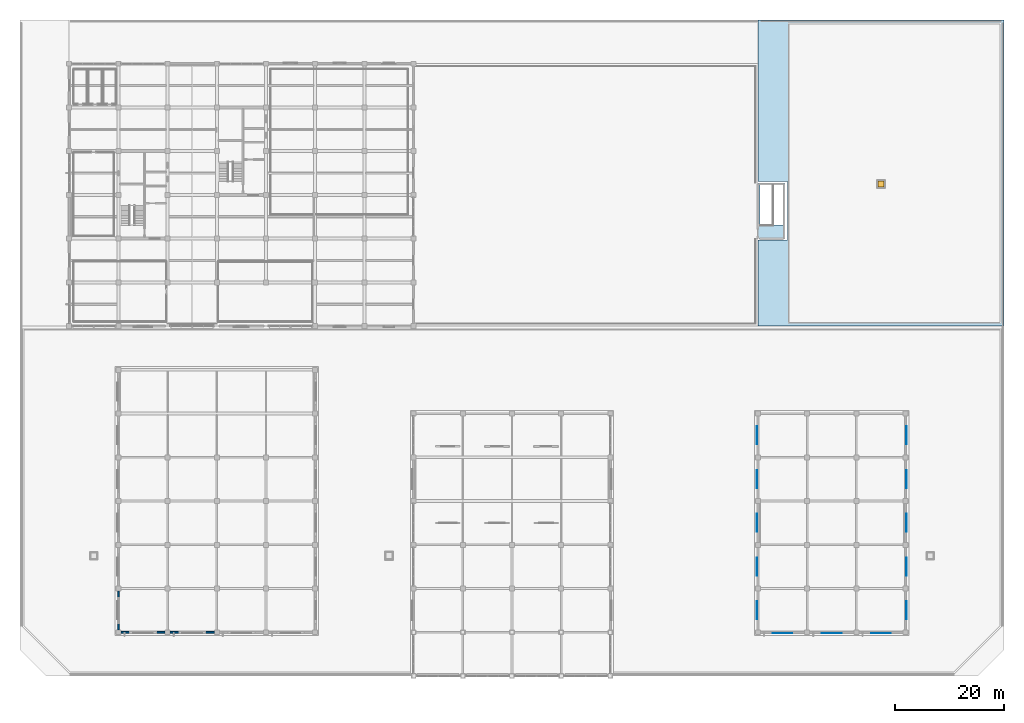
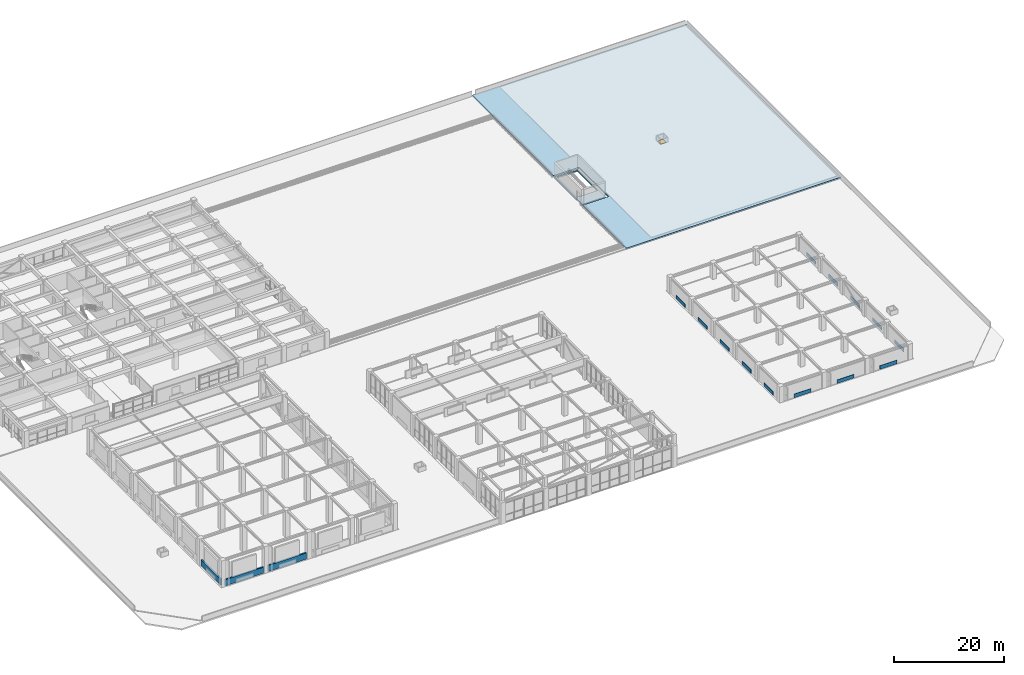
# One storey, part 18 of 34: 13 plates, 3 walls, 2 slabs, 1 door, 1 opening.
"""IFC4 building model written with IfcOpenShell, lengths in metres."""

from ifc_helpers import new_model, si_unit, direction, frame, frame_2d, origin, origin_2d, place, context, subcontext, project, spatial, polyline, rectangle, outline, extrude, material, layer, layer_set, type_object, element, fill, save


model = new_model("IFC4")

# Units and contexts
model_context = context("Model", 3, precision=1e-05, world=origin(), true_north=direction((0.0, 1.0)))
body_context = subcontext(model_context, "Body", "Model", "MODEL_VIEW")
ifc_project = project(units=[si_unit("LENGTHUNIT", "METRE"), si_unit("AREAUNIT", "SQUARE_METRE"), si_unit("VOLUMEUNIT", "CUBIC_METRE"), si_unit("PLANEANGLEUNIT", "RADIAN"), si_unit("MASSUNIT", "GRAM", prefix="KILO")], contexts=[model_context])

# Site, building, storey
site_placement = place(None, origin())
site = spatial("IfcSite", under=ifc_project, at=site_placement, CompositionType="ELEMENT")
building_placement = place(site_placement, origin())
building = spatial("IfcBuilding", under=site, at=building_placement, Name="Zaverband Oceanarium and Marine Research Institute", CompositionType="ELEMENT")
storey_placement = place(building_placement, frame((0.0, 0.0, 18.0)))
storey = spatial("IfcBuildingStorey", under=building, at=storey_placement, Name="L04", CompositionType="ELEMENT", Elevation=18.0)

# Plates
ifc_material_1 = material(Name="Concrete C40/50 precast ochre", Category="concrete")
ifc_layer_1 = layer(ifc_material_1, 0.0849609375, Name="Concrete C40/50 precast ochre")
ifc_layer_set_1 = layer_set([ifc_layer_1], Name="Concrete C40/50 precast ochre")
plate_type_1 = type_object("IfcPlateType", Name="FRP-3300x800", PredefinedType="USERDEFINED", material=ifc_layer_set_1)
for number, where, z_axis, x_axis, name in (
    (1, (134.8173828125, 10.35009765625, 0.0), (0.0, 0.0, 1.0), (0.0, 1.0, 0.0), "Geometric precast facade cladding panel FRP-3300x800"),
    (2, (134.8173828125, 18.35009765625, 0.0), (0.0, 0.0, 1.0), (0.0, 1.0, 0.0), "Geometric precast facade cladding panel FRP-3300x800"),
    (3, (134.8173828125, 26.35009765625, 0.0), (0.0, 0.0, 1.0), (0.0, 1.0, 0.0), "Geometric precast facade cladding panel FRP-3300x800"),
    (4, (134.8173828125, 34.35009765625, 0.0), (0.0, 0.0, 1.0), (0.0, 1.0, 0.0), "Geometric precast facade cladding panel FRP-3300x800"),
    (5, (134.8173828125, 42.35009765625, 0.0), (0.0, 0.0, 1.0), (0.0, 1.0, 0.0), "Geometric precast facade cladding panel FRP-3300x800"),
    (6, (162.1826171875, 10.35009765625, 0.0), (0.0, 0.0, 1.0), (0.0, 1.0, 0.0), "Geometric precast facade cladding panel FRP-3300x800"),
    (7, (162.1826171875, 18.35009765625, 0.0), (0.0, 0.0, 1.0), (0.0, 1.0, 0.0), "Geometric precast facade cladding panel FRP-3300x800"),
    (8, (162.1826171875, 26.35009765625, 0.0), (0.0, 0.0, 1.0), (0.0, 1.0, 0.0), "Geometric precast facade cladding panel FRP-3300x800"),
    (9, (162.1826171875, 34.35009765625, 0.0), (0.0, 0.0, 1.0), (0.0, 1.0, 0.0), "Geometric precast facade cladding panel FRP-3300x800"),
    (10, (162.1826171875, 42.35009765625, 0.0), (0.0, 0.0, 1.0), (0.0, 1.0, 0.0), "Geometric precast facade cladding panel FRP-3300x800"),
):
    element("IfcPlate", number, at=place(storey_placement, frame(where, z_axis=z_axis, x_axis=x_axis)), inside=storey, type_object=plate_type_1, Name=name, ObjectType="FLANGE_PLATE", PredefinedType="USERDEFINED", context=body_context, shape_type="SweptSolid", body=[
        extrude(rectangle(XDim=3.2998046875, YDim=0.0849609375, at=frame_2d((1.64990234375, 0.0))), origin(), (0.0, 0.0, 1.0), 0.800048828125),
    ])
ifc_layer_2 = layer(ifc_material_1, 0.0849609375, Name="Concrete C40/50 precast ochre")
ifc_layer_set_2 = layer_set([ifc_layer_2], Name="Concrete C40/50 precast ochre")
plate_type_2 = type_object("IfcPlateType", Name="FRP-3600x800", PredefinedType="USERDEFINED", material=ifc_layer_set_2)
for number, where, z_axis, x_axis, name in (
    (11, (137.699951171875, 7.8173828125, 0.0), (0.0, 0.0, 1.0), (1.0, 0.0, 0.0), "Geometric precast facade cladding panel FRP-3600x800"),
    (12, (146.699951171875, 7.8173828125, 0.0), (0.0, 0.0, 1.0), (1.0, 0.0, 0.0), "Geometric precast facade cladding panel FRP-3600x800"),
    (13, (155.699951171875, 7.8173828125, 0.0), (0.0, 0.0, 1.0), (1.0, 0.0, 0.0), "Geometric precast facade cladding panel FRP-3600x800"),
):
    element("IfcPlate", number, at=place(storey_placement, frame(where, z_axis=z_axis, x_axis=x_axis)), inside=storey, type_object=plate_type_2, Name=name, ObjectType="FLANGE_PLATE", PredefinedType="USERDEFINED", context=body_context, shape_type="SweptSolid", body=[
        extrude(rectangle(XDim=3.60009765625, YDim=0.0849609375, at=frame_2d((1.800048828125, 0.0))), origin(), (0.0, 0.0, 1.0), 0.800048828125),
    ])

# Slab
ifc_material_2 = material(Name="Concrete C40/50", Category="concrete")
ifc_layer_3 = layer(ifc_material_2, 0.300048828125, Name="Concrete C40/50")
ifc_layer_set_3 = layer_set([ifc_layer_3], Name="Concrete C40/50")
slab_type_1 = type_object("IfcSlabType", Name="SLB-BSM-300", PredefinedType="FLOOR", material=ifc_layer_set_3)
slab_1_placement = place(storey_placement, frame((0.0, 0.0, -0.300048828125)))
element("IfcSlab", 14, at=slab_1_placement, inside=storey, type_object=slab_type_1, Name="Suspended floor slab SLB-BSM-300", PredefinedType="FLOOR", context=body_context, shape_type="SweptSolid", body=[
    extrude(outline(polyline([(135.0, 90.10009765625), (139.89990234375, 90.10009765625), (139.89990234375, 80.0), (135.0, 80.0), (135.0, 90.10009765625)]), holes=[polyline([(139.64990234375, 82.5), (139.64990234375, 89.85009765625), (135.35009765625, 89.85009765625), (135.35009765625, 82.5), (139.64990234375, 82.5)])]), origin(), (0.0, 0.0, 1.0), 0.300048828125),
])

# Slab, opening, door
ifc_layer_4 = layer(ifc_material_2, 0.300048828125, Name="Concrete C40/50")
ifc_layer_set_4 = layer_set([ifc_layer_4], Name="Concrete C40/50")
slab_type_2 = type_object("IfcSlabType", Name="SLB-ROOF-300", PredefinedType="ROOF", material=ifc_layer_set_4)
slab_2_placement = place(storey_placement, frame((0.0, 0.0, -0.300048828125)))
slab_2 = element("IfcSlab", 15, at=slab_2_placement, inside=storey, type_object=slab_type_2, Name="Roof deck slab SLB-ROOF-300", PredefinedType="ROOF", context=body_context, shape_type="SweptSolid", body=[
    extrude(outline(polyline([(135.014892578125, 120.0), (180.0, 120.0), (180.0, 64.014892578125), (135.014892578125, 64.014892578125), (135.014892578125, 79.800048828125), (140.39990234375, 79.800048828125), (140.39990234375, 90.5), (135.014892578125, 90.5), (135.014892578125, 120.0)])), origin(), (0.0, 0.0, 1.0), 0.300048828125),
])
opening_placement = place(slab_2_placement, frame((157.5, 90.0, -0.011962890625)))
opening = element("IfcOpeningElement", 16, at=opening_placement, cuts=slab_2, Name="Opening RH-02", PredefinedType="OPENING", context=body_context, shape_type="SweptSolid", body=[
    extrude(rectangle(XDim=1.10009765625, YDim=1.10009765625, at=origin_2d()), origin(), (0.0, 0.0, 1.0), 0.323974609375),
])
ifc_material_3 = material(Name="Steel S355", Category="steel")
door_type = type_object("IfcDoorType", Name="RH-02", OperationType="SWING_FIXED_LEFT", PredefinedType="TRAPDOOR", material=ifc_material_3)
door_placement = place(slab_2_placement, frame((157.5, 90.0, 0.25)))
door = element("IfcDoor", 17, at=door_placement, inside=storey, type_object=door_type, Name="Tank / plant roof access hatch RH-02", OperationType="SWING_FIXED_LEFT", OverallHeight=1.10009765625, OverallWidth=1.10009765625, PredefinedType="TRAPDOOR", context=body_context, shape_type="SweptSolid", body=[
    extrude(rectangle(XDim=1.10009765625, YDim=1.10009765625, at=origin_2d()), origin(), (0.0, 0.0, 1.0), 0.050048828125),
])
fill(opening, door)

# Walls
ifc_material_4 = material(Name="Concrete C40/50 precast", Category="concrete")
ifc_layer_5 = layer(ifc_material_4, 0.31005859375, Name="Concrete C40/50 precast")
ifc_layer_set_5 = layer_set([ifc_layer_5], Name="Concrete C40/50 precast")
wall_type = type_object("IfcWallType", Name="EW-310", PredefinedType="STANDARD", material=ifc_layer_set_5)
for number, where, z_axis, x_axis, name in (
    (18, (18.4599609375, 8.0, 0.0), (0.0, 0.0, 1.0), (1.0, 0.0, 0.0), "Exterior infill wall EW-310"),
    (19, (27.4599609375, 8.0, 0.0), (0.0, 0.0, 1.0), (1.0, 0.0, 0.0), "Exterior infill wall EW-310"),
):
    element("IfcWall", number, at=place(storey_placement, frame(where, z_axis=z_axis, x_axis=x_axis)), inside=storey, type_object=wall_type, Name=name, PredefinedType="STANDARD", context=body_context, shape_type="SweptSolid", body=[
        extrude(rectangle(XDim=8.080078125, YDim=0.31005859375, at=frame_2d((4.0400390625, 0.0))), origin(), (0.0, 0.0, 1.0), 1.35009765625),
    ])
wall_placement = place(storey_placement, frame((18.0, 8.4599609375, 0.0), z_axis=(0.0, 0.0, 1.0), x_axis=(0.0, 1.0, 0.0)))
element("IfcWall", 20, at=wall_placement, inside=storey, type_object=wall_type, Name="Exterior infill wall EW-310", PredefinedType="STANDARD", context=body_context, shape_type="SweptSolid", body=[
    extrude(rectangle(XDim=7.080078125, YDim=0.31005859375, at=frame_2d((3.5400390625, 0.0))), origin(), (0.0, 0.0, 1.0), 1.35009765625),
])

save(model, "model.ifc")
